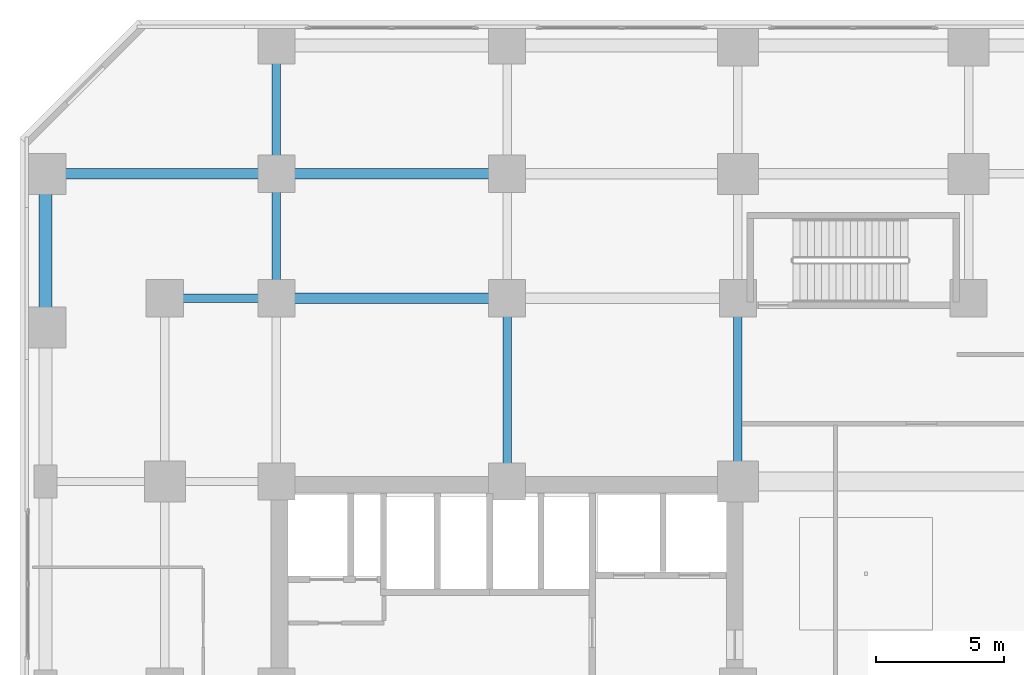
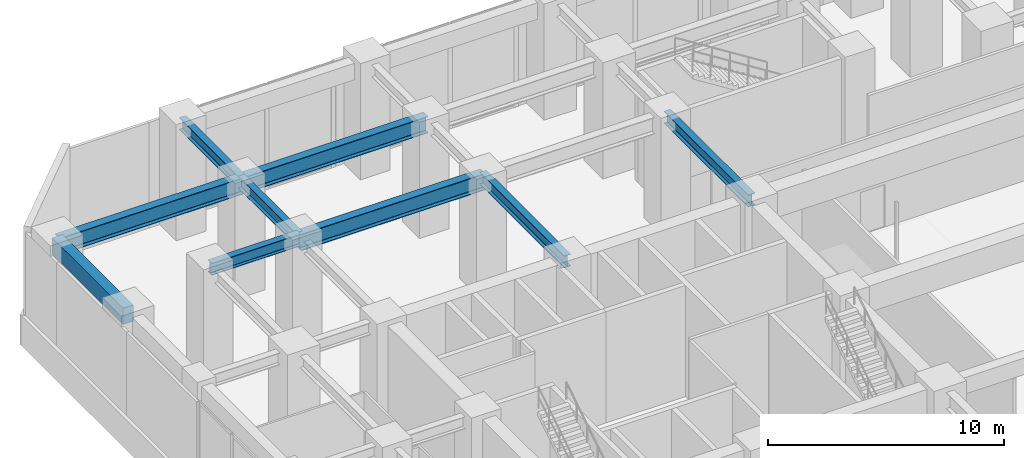
# One storey, part 16 of 34: 9 beams.
"""IFC4 building model written with IfcOpenShell, lengths in metres."""

from ifc_helpers import new_model, si_unit, direction, frame, origin, origin_2d, place, context, subcontext, project, spatial, rectangle, i_section, extrude, source, transform, mapped, material, material_profile, profile_set, type_object, element, save


model = new_model("IFC4")

# Units and contexts
model_context = context("Model", 3, precision=1e-05, world=origin(), true_north=direction((0.0, 1.0)))
body_context = subcontext(model_context, "Body", "Model", "MODEL_VIEW")
ifc_project = project(units=[si_unit("LENGTHUNIT", "METRE"), si_unit("AREAUNIT", "SQUARE_METRE"), si_unit("VOLUMEUNIT", "CUBIC_METRE"), si_unit("PLANEANGLEUNIT", "RADIAN"), si_unit("MASSUNIT", "GRAM", prefix="KILO")], contexts=[model_context])

# Site, building, storey
site_placement = place(None, origin())
site = spatial("IfcSite", under=ifc_project, at=site_placement, CompositionType="ELEMENT")
building_placement = place(site_placement, origin())
building = spatial("IfcBuilding", under=site, at=building_placement, Name="Torre Montelarca", CompositionType="ELEMENT")
storey_placement = place(building_placement, frame((0.0, 0.0, 6.0)))
storey = spatial("IfcBuildingStorey", under=building, at=storey_placement, Name="L02", CompositionType="ELEMENT", Elevation=6.0)

# Beams
ifc_material_1 = material(Name="Concrete C55/67", Category="concrete")
ifc_material_profile_1 = material_profile(ifc_material_1, rectangle(XDim=0.5, YDim=0.85009765625, at=origin_2d()), Name="RCB500X850", Category="concrete")
ifc_profile_set_1 = profile_set([ifc_material_profile_1], Name="Concrete C55/67")
beam_type_1 = type_object("IfcBeamType", Name="BM-SP-RC850-EXT", PredefinedType="SPANDREL", material=ifc_profile_set_1)
shared_shape_1 = source(origin(), body_context, "Body", "SweptSolid", [
    extrude(rectangle(XDim=0.5, YDim=0.85009765625, at=origin_2d()), origin(), (0.0, 0.0, 1.0), 6.0),
])
beam_1_placement = place(storey_placement, frame((0.0, 46.0, 5.31494140625), z_axis=(0.0, 1.0, 0.0), x_axis=(-1.0, 0.0, 0.0)))
element("IfcBeam", 1, at=beam_1_placement, inside=storey, type_object=beam_type_1, Name="L02 Grid Girder Y 46.0-52.0 at X=0.0", PredefinedType="SPANDREL", context=body_context, shape_type="MappedRepresentation", body=[
    mapped(shared_shape_1, transform((0.0, 0.0, 0.0), scale=1.0)),
])
ifc_material_2 = material(Name="Steel ASTM A992 Grade 50", Category="steel")
ifc_material_profile_2 = material_profile(ifc_material_2, i_section(OverallWidth=0.39990234375, OverallDepth=0.85498046875, WebThickness=0.018310546875, FlangeThickness=0.029296875, FilletRadius=0.02001953125, at=origin_2d()), Name="W840X299", Category="steel")
ifc_profile_set_2 = profile_set([ifc_material_profile_2], Name="Steel ASTM A992 Grade 50")
beam_type_2 = type_object("IfcBeamType", Name="BM-G-W840", PredefinedType="BEAM", material=ifc_profile_set_2)
shared_shape_2 = source(origin(), body_context, "Body", "SweptSolid", [
    extrude(i_section(OverallWidth=0.39990234375, OverallDepth=0.85498046875, WebThickness=0.018310546875, FlangeThickness=0.029296875, FilletRadius=0.02001953125, at=origin_2d()), origin(), (0.0, 0.0, 1.0), 9.0),
])
for number, where, z_axis, x_axis, name in (
    (2, (9.0, 47.14990234375, 5.31201171875), (1.0, 0.0, 0.0), (0.0, 1.0, 0.0), "L02 Grid Girder X 9.0-18.0 at Y=47.1"),
    (3, (0.0, 52.0, 5.31201171875), (1.0, 0.0, 0.0), (0.0, 1.0, 0.0), "L02 Grid Girder X 0.0-9.0 at Y=52.0"),
    (4, (9.0, 52.0, 5.31201171875), (1.0, 0.0, 0.0), (0.0, 1.0, 0.0), "L02 Grid Girder X 9.0-18.0 at Y=52.0"),
):
    element("IfcBeam", number, at=place(storey_placement, frame(where, z_axis=z_axis, x_axis=x_axis)), inside=storey, type_object=beam_type_2, Name=name, PredefinedType="BEAM", context=body_context, shape_type="MappedRepresentation", body=[
        mapped(shared_shape_2, transform((0.0, 0.0, 0.0), scale=1.0)),
    ])
ifc_material_profile_3 = material_profile(ifc_material_2, i_section(OverallWidth=0.326904296875, OverallDepth=0.6220703125, WebThickness=0.015380859375, FlangeThickness=0.0244140625, FilletRadius=0.014892578125, at=origin_2d()), Name="W610X195", Category="steel")
ifc_profile_set_3 = profile_set([ifc_material_profile_3], Name="Steel ASTM A992 Grade 50")
beam_type_3 = type_object("IfcBeamType", Name="BM-G-W610H", PredefinedType="BEAM", material=ifc_profile_set_3)
shared_shape_3 = source(origin(), body_context, "Body", "SweptSolid", [
    extrude(i_section(OverallWidth=0.326904296875, OverallDepth=0.6220703125, WebThickness=0.015380859375, FlangeThickness=0.0244140625, FilletRadius=0.014892578125, at=origin_2d()), origin(), (0.0, 0.0, 1.0), 4.35009765625),
])
beam_2_placement = place(storey_placement, frame((4.64990234375, 47.14990234375, 5.428955078125), z_axis=(1.0, 0.0, 0.0), x_axis=(0.0, 1.0, 0.0)))
element("IfcBeam", 5, at=beam_2_placement, inside=storey, type_object=beam_type_3, Name="L02 Grid Girder X 4.7-9.0 at Y=47.1", PredefinedType="BEAM", context=body_context, shape_type="MappedRepresentation", body=[
    mapped(shared_shape_3, transform((0.0, 0.0, 0.0), scale=1.0)),
])
shared_shape_4 = source(origin(), body_context, "Body", "SweptSolid", [
    extrude(i_section(OverallWidth=0.326904296875, OverallDepth=0.6220703125, WebThickness=0.015380859375, FlangeThickness=0.0244140625, FilletRadius=0.014892578125, at=origin_2d()), origin(), (0.0, 0.0, 1.0), 7.14990234375),
])
for number, where, z_axis, x_axis, name in (
    (6, (18.0, 40.0, 5.428955078125), (0.0, 1.0, 0.0), (-1.0, 0.0, 0.0), "L02 Grid Girder Y 40.0-47.1 at X=18.0"),
    (7, (27.0, 40.0, 5.428955078125), (0.0, 1.0, 0.0), (-1.0, 0.0, 0.0), "L02 Grid Girder Y 40.0-47.1 at X=27.0"),
):
    element("IfcBeam", number, at=place(storey_placement, frame(where, z_axis=z_axis, x_axis=x_axis)), inside=storey, type_object=beam_type_3, Name=name, PredefinedType="BEAM", context=body_context, shape_type="MappedRepresentation", body=[
        mapped(shared_shape_4, transform((0.0, 0.0, 0.0), scale=1.0)),
    ])
shared_shape_5 = source(origin(), body_context, "Body", "SweptSolid", [
    extrude(i_section(OverallWidth=0.326904296875, OverallDepth=0.6220703125, WebThickness=0.015380859375, FlangeThickness=0.0244140625, FilletRadius=0.014892578125, at=origin_2d()), origin(), (0.0, 0.0, 1.0), 4.85009765625),
])
beam_3_placement = place(storey_placement, frame((9.0, 47.14990234375, 5.428955078125), z_axis=(0.0, 1.0, 0.0), x_axis=(-1.0, 0.0, 0.0)))
element("IfcBeam", 8, at=beam_3_placement, inside=storey, type_object=beam_type_3, Name="L02 Grid Girder Y 47.1-52.0 at X=9.0", PredefinedType="BEAM", context=body_context, shape_type="MappedRepresentation", body=[
    mapped(shared_shape_5, transform((0.0, 0.0, 0.0), scale=1.0)),
])
shared_shape_6 = source(origin(), body_context, "Body", "SweptSolid", [
    extrude(i_section(OverallWidth=0.326904296875, OverallDepth=0.6220703125, WebThickness=0.015380859375, FlangeThickness=0.0244140625, FilletRadius=0.014892578125, at=origin_2d()), origin(), (0.0, 0.0, 1.0), 5.0),
])
beam_4_placement = place(storey_placement, frame((9.0, 52.0, 5.428955078125), z_axis=(0.0, 1.0, 0.0), x_axis=(-1.0, 0.0, 0.0)))
element("IfcBeam", 9, at=beam_4_placement, inside=storey, type_object=beam_type_3, Name="L02 Grid Girder Y 52.0-57.0 at X=9.0", PredefinedType="BEAM", context=body_context, shape_type="MappedRepresentation", body=[
    mapped(shared_shape_6, transform((0.0, 0.0, 0.0), scale=1.0)),
])

save(model, "model.ifc")
